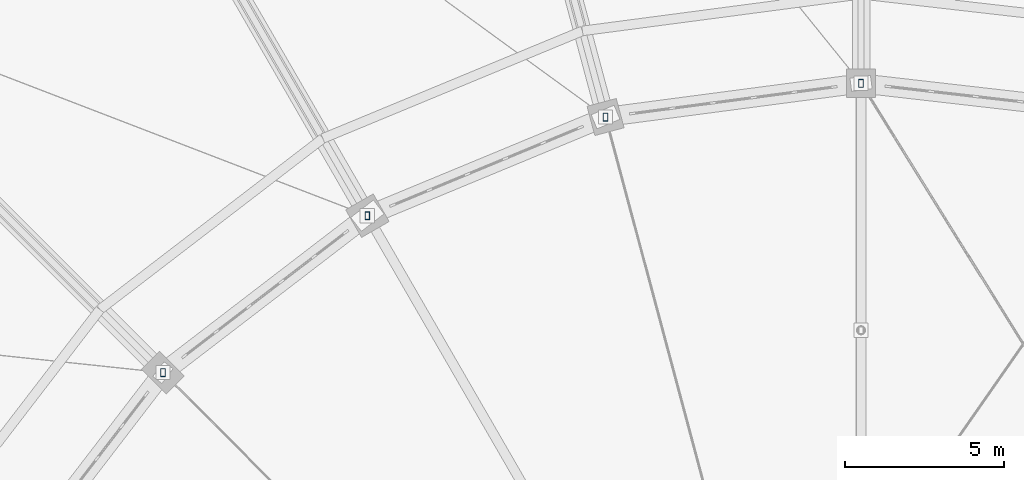
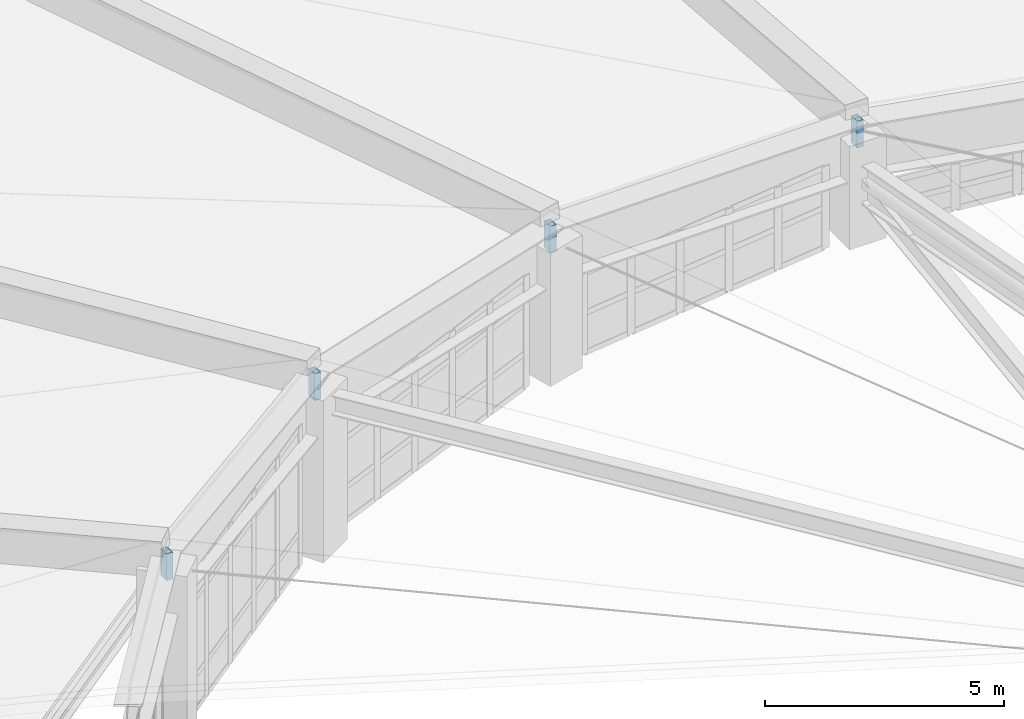
# One storey, part 49 of 68: 4 members.
"""IFC4 building model written with IfcOpenShell, lengths in metres."""

from ifc_helpers import new_model, si_unit, direction, frame, origin, origin_2d, place, context, subcontext, project, spatial, hollow_rectangle, extrude, material, material_profile, profile_set, type_object, element, save


model = new_model("IFC4")

# Units and contexts
model_context = context("Model", 3, precision=1e-05, world=origin(), true_north=direction((0.0, 1.0)))
body_context = subcontext(model_context, "Body", "Model", "MODEL_VIEW")
ifc_project = project(units=[si_unit("LENGTHUNIT", "METRE"), si_unit("AREAUNIT", "SQUARE_METRE"), si_unit("VOLUMEUNIT", "CUBIC_METRE"), si_unit("PLANEANGLEUNIT", "RADIAN"), si_unit("MASSUNIT", "GRAM", prefix="KILO")], contexts=[model_context])

# Site, building, storey
site_placement = place(None, origin())
site = spatial("IfcSite", under=ifc_project, at=site_placement, CompositionType="ELEMENT")
building_placement = place(site_placement, origin())
building = spatial("IfcBuilding", under=site, at=building_placement, Name="Sohan Crest Arena", CompositionType="ELEMENT")
storey_placement = place(building_placement, frame((0.0, 0.0, 27.0)))
storey = spatial("IfcBuildingStorey", under=building, at=storey_placement, Name="RF", CompositionType="ELEMENT", Elevation=27.0)

# Members
ifc_material = material(Name="Steel S355", Category="steel")
ifc_material_profile = material_profile(ifc_material, hollow_rectangle(XDim=0.14990234375, YDim=0.25, WallThickness=0.010009765625, at=origin_2d()), Name="RHS 250x150x10")
ifc_profile_set = profile_set([ifc_material_profile], Name="Steel S355")
member_type = type_object("IfcMemberType", Name="STR-MEM-CH02", PredefinedType="CHORD", material=ifc_profile_set)
member_1_placement = place(storey_placement, frame((98.0, 109.0, 2.27099609375), z_axis=(0.0, 0.0, 1.0), x_axis=(1.0, 0.0, 0.0)))
element("IfcMember", 1, at=member_1_placement, inside=storey, type_object=member_type, Name="Ring beam roof bearing saddle chord RSR-01", PredefinedType="CHORD", context=body_context, shape_type="SweptSolid", body=[
    extrude(hollow_rectangle(XDim=0.14990234375, YDim=0.25, WallThickness=0.010009765625, at=origin_2d()), origin(), (0.0, 0.0, 1.0), 0.68505859375),
])
for number, where, z_axis, x_axis, name in (
    (2, (89.97705078125, 107.944091796875, 3.0380859375), (0.0, 0.0, 1.0), (1.0, 0.0, 0.0), "Ring beam roof bearing saddle chord RSR-02"),
    (3, (82.5, 104.846923828125, 3.76806640625), (0.0, 0.0, 1.0), (1.0, 0.0, 0.0), "Ring beam roof bearing saddle chord RSR-03"),
):
    element("IfcMember", number, at=place(storey_placement, frame(where, z_axis=z_axis, x_axis=x_axis)), inside=storey, type_object=member_type, Name=name, PredefinedType="CHORD", context=body_context, shape_type="SweptSolid", body=[
        extrude(hollow_rectangle(XDim=0.14990234375, YDim=0.25, WallThickness=0.010009765625, at=origin_2d()), origin(), (0.0, 0.0, 1.0), 0.684814453125),
    ])
member_2_placement = place(storey_placement, frame((76.080078125, 99.919921875, 4.406982421875), z_axis=(0.0, 0.0, 1.0), x_axis=(1.0, 0.0, 0.0)))
element("IfcMember", 4, at=member_2_placement, inside=storey, type_object=member_type, Name="Ring beam roof bearing saddle chord RSR-04", PredefinedType="CHORD", context=body_context, shape_type="SweptSolid", body=[
    extrude(hollow_rectangle(XDim=0.14990234375, YDim=0.25, WallThickness=0.010009765625, at=origin_2d()), origin(), (0.0, 0.0, 1.0), 0.68505859375),
])

save(model, "model.ifc")
